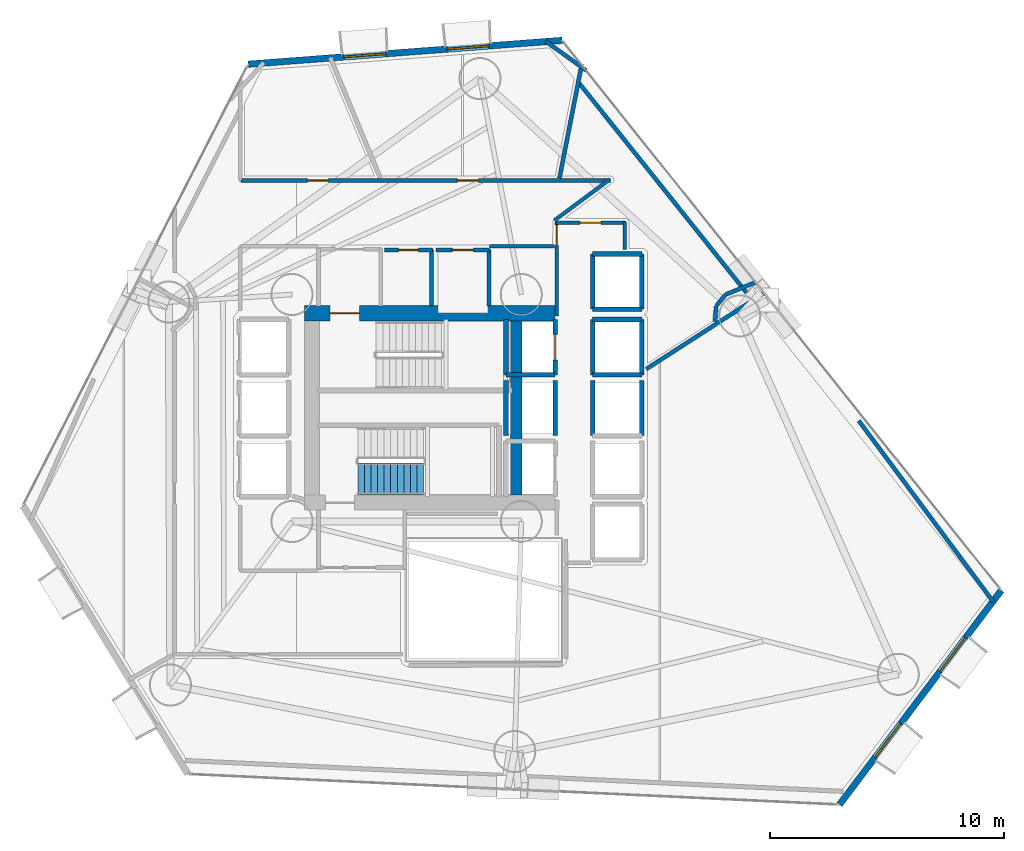
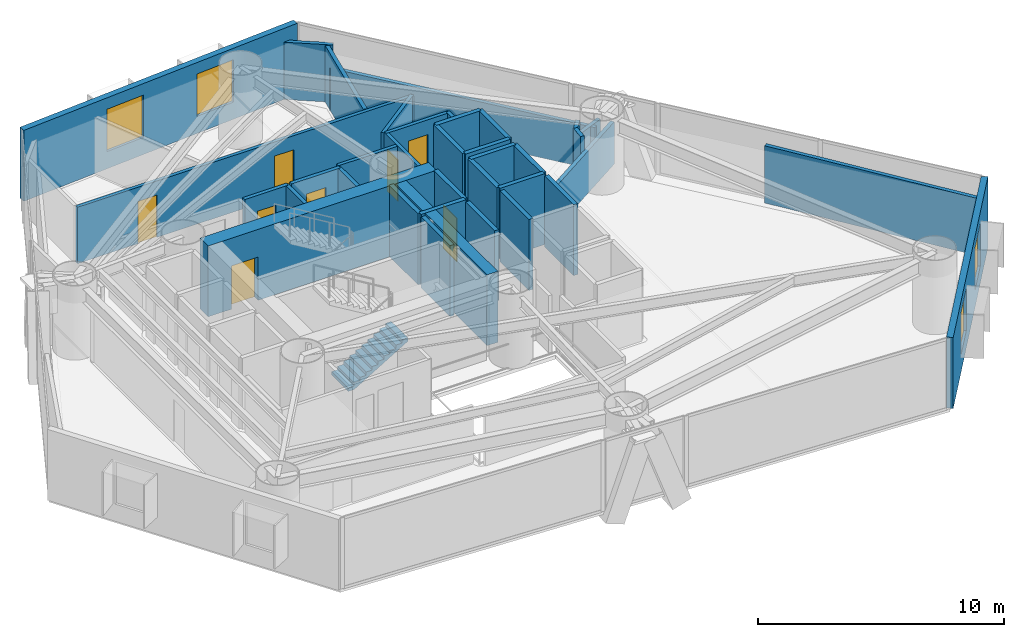
# One storey, part 18 of 23: 37 walls, 8 doors, 4 windows, 1 stair flight, 12 openings, 1 element without a shape of its own.
"""IFC4 building model written with IfcOpenShell, lengths in metres."""

from ifc_helpers import new_model, si_unit, direction, frame, frame_2d, origin, place, context, subcontext, project, spatial, polyline, rectangle, outline, extrude, material, layer, layer_set, type_object, element, fill, aggregate, save


model = new_model("IFC4")

# Units and contexts
model_context = context("Model", 3, precision=1e-05, world=origin(), true_north=direction((0.0, 1.0)))
body_context = subcontext(model_context, "Body", "Model", "MODEL_VIEW")
ifc_project = project(units=[si_unit("LENGTHUNIT", "METRE"), si_unit("AREAUNIT", "SQUARE_METRE"), si_unit("VOLUMEUNIT", "CUBIC_METRE"), si_unit("PLANEANGLEUNIT", "RADIAN"), si_unit("MASSUNIT", "GRAM", prefix="KILO")], contexts=[model_context])

# Site, building, storey
site_placement = place(None, origin())
site = spatial("IfcSite", under=ifc_project, at=site_placement, CompositionType="ELEMENT")
building_placement = place(site_placement, origin())
building = spatial("IfcBuilding", under=site, at=building_placement, Name="Qianvela Tower", CompositionType="ELEMENT")
storey_placement = place(building_placement, frame((0.0, 0.0, 36.800048828125)))
storey = spatial("IfcBuildingStorey", under=building, at=storey_placement, Name="L08", CompositionType="ELEMENT", Elevation=36.800048828125)

# Wall, openings, windows
ifc_material_1 = material(Name="Terracotta Cladding on Concrete C40", Category="masonry")
ifc_layer_1 = layer(ifc_material_1, 0.280029296875)
ifc_layer_set_1 = layer_set([ifc_layer_1], Name="Terracotta Cladding on Concrete C40")
wall_type_1 = type_object("IfcWallType", Name="TERRACOTTA-WALL-280", PredefinedType="SOLIDWALL", material=ifc_layer_set_1)
wall_1_placement = place(storey_placement, frame((51.999267578125, 11.74658203125, 0.0), z_axis=(0.0, 0.0, 1.0), x_axis=(0.602698586695, 0.797968930219, 0.0)))
wall_1 = element("IfcWall", 1, at=wall_1_placement, inside=storey, type_object=wall_type_1, Name="L08 Terracotta Chamfer Facet Wall 1", PredefinedType="SOLIDWALL", context=body_context, shape_type="SweptSolid", body=[
    extrude(rectangle(XDim=11.478759765625, YDim=0.280029296875, at=frame_2d((5.7392578125, 0.0))), origin(), (0.0, 0.0, 1.0), 3.52001953125),
])
opening_1_placement = place(wall_1_placement, frame((2.543701171875, 0.0, 0.85009765625)))
opening_1 = element("IfcOpeningElement", 2, at=opening_1_placement, cuts=wall_1, Name="Opening W-01", PredefinedType="OPENING", context=body_context, shape_type="SweptSolid", body=[
    extrude(rectangle(XDim=1.800048828125, YDim=2.10009765625, at=frame_2d((0.89990234375, 1.050048828125))), frame((0.0, 0.14990234375, 0.0), z_axis=(0.0, -1.0, 0.0), x_axis=(1.0, 0.0, 0.0)), (0.0, 0.0, 1.0), 0.300048828125),
])
opening_2_placement = place(wall_1_placement, frame((7.13525390625, 0.0, 0.85009765625)))
opening_2 = element("IfcOpeningElement", 3, at=opening_2_placement, cuts=wall_1, Name="Opening W-01", PredefinedType="OPENING", context=body_context, shape_type="SweptSolid", body=[
    extrude(rectangle(XDim=1.800048828125, YDim=2.10009765625, at=frame_2d((0.89990234375, 1.050048828125))), frame((0.0, 0.14990234375, 0.0), z_axis=(0.0, -1.0, 0.0), x_axis=(1.0, 0.0, 0.0)), (0.0, 0.0, 1.0), 0.300048828125),
])
ifc_material_2 = material(Name="Thermally Broken Aluminium and Low-E Glass", Category="aluminium")
window_type = type_object("IfcWindowType", Name="WIN-TC-1800x2100", PartitioningType="DOUBLE_PANEL_VERTICAL", PredefinedType="WINDOW", material=ifc_material_2)
window_1_placement = place(opening_1_placement, origin())
window_1 = element("IfcWindow", 4, at=window_1_placement, inside=storey, type_object=window_type, Name="L08 Chamfer Facet Window 1.1", OverallHeight=2.10009765625, OverallWidth=1.800048828125, PartitioningType="SINGLE_PANEL", PredefinedType="WINDOW", context=body_context, shape_type="SweptSolid", body=[
    extrude(rectangle(XDim=1.800048828125, YDim=2.10009765625, at=frame_2d((0.89990234375, 1.050048828125))), frame((0.0, 0.030029296875, 0.0), z_axis=(0.0, -1.0, 0.0), x_axis=(1.0, 0.0, 0.0)), (0.0, 0.0, 1.0), 0.06005859375),
])
fill(opening_1, window_1)
window_2_placement = place(opening_2_placement, origin())
window_2 = element("IfcWindow", 5, at=window_2_placement, inside=storey, type_object=window_type, Name="L08 Chamfer Facet Window 1.2", OverallHeight=2.10009765625, OverallWidth=1.800048828125, PartitioningType="SINGLE_PANEL", PredefinedType="WINDOW", context=body_context, shape_type="SweptSolid", body=[
    extrude(rectangle(XDim=1.800048828125, YDim=2.10009765625, at=frame_2d((0.89990234375, 1.050048828125))), frame((0.0, 0.030029296875, 0.0), z_axis=(0.0, -1.0, 0.0), x_axis=(1.0, 0.0, 0.0)), (0.0, 0.0, 1.0), 0.06005859375),
])
fill(opening_2, window_2)

wall_2_placement = place(storey_placement, frame((40.1474609375, 44.4130859375, 0.0), z_axis=(0.0, 0.0, 1.0), x_axis=(-0.997124396063, -0.07578217981, 0.0)))
wall_2 = element("IfcWall", 6, at=wall_2_placement, inside=storey, type_object=wall_type_1, Name="L08 Terracotta Chamfer Facet Wall 3", PredefinedType="SOLIDWALL", context=body_context, shape_type="SweptSolid", body=[
    extrude(rectangle(XDim=13.45654296875, YDim=0.280029296875, at=frame_2d((6.728271484375, 0.0))), origin(), (0.0, 0.0, 1.0), 3.52001953125),
])
opening_3_placement = place(wall_2_placement, frame((3.136962890625, 0.0, 0.85009765625)))
opening_3 = element("IfcOpeningElement", 7, at=opening_3_placement, cuts=wall_2, Name="Opening W-01", PredefinedType="OPENING", context=body_context, shape_type="SweptSolid", body=[
    extrude(rectangle(XDim=1.800048828125, YDim=2.10009765625, at=frame_2d((0.89990234375, 1.050048828125))), frame((0.0, 0.14990234375, 0.0), z_axis=(0.0, -1.0, 0.0), x_axis=(1.0, 0.0, 0.0)), (0.0, 0.0, 1.0), 0.300048828125),
])
opening_4_placement = place(wall_2_placement, frame((7.559814453125, 0.0, 0.85009765625)))
opening_4 = element("IfcOpeningElement", 8, at=opening_4_placement, cuts=wall_2, Name="Opening W-01", PredefinedType="OPENING", context=body_context, shape_type="SweptSolid", body=[
    extrude(rectangle(XDim=1.800048828125, YDim=2.10009765625, at=frame_2d((0.89990234375, 1.050048828125))), frame((0.0, 0.14990234375, 0.0), z_axis=(0.0, -1.0, 0.0), x_axis=(1.0, 0.0, 0.0)), (0.0, 0.0, 1.0), 0.300048828125),
])
window_3_placement = place(opening_3_placement, origin())
window_3 = element("IfcWindow", 9, at=window_3_placement, inside=storey, type_object=window_type, Name="L08 Chamfer Facet Window 3.1", OverallHeight=2.10009765625, OverallWidth=1.800048828125, PartitioningType="SINGLE_PANEL", PredefinedType="WINDOW", context=body_context, shape_type="SweptSolid", body=[
    extrude(rectangle(XDim=1.800048828125, YDim=2.10009765625, at=frame_2d((0.89990234375, 1.050048828125))), frame((0.0, 0.030029296875, 0.0), z_axis=(0.0, -1.0, 0.0), x_axis=(1.0, 0.0, 0.0)), (0.0, 0.0, 1.0), 0.06005859375),
])
fill(opening_3, window_3)
window_4_placement = place(opening_4_placement, origin())
window_4 = element("IfcWindow", 10, at=window_4_placement, inside=storey, type_object=window_type, Name="L08 Chamfer Facet Window 3.2", OverallHeight=2.10009765625, OverallWidth=1.800048828125, PartitioningType="SINGLE_PANEL", PredefinedType="WINDOW", context=body_context, shape_type="SweptSolid", body=[
    extrude(rectangle(XDim=1.800048828125, YDim=2.10009765625, at=frame_2d((0.89990234375, 1.050048828125))), frame((0.0, 0.030029296875, 0.0), z_axis=(0.0, -1.0, 0.0), x_axis=(1.0, 0.0, 0.0)), (0.0, 0.0, 1.0), 0.06005859375),
])
fill(opening_4, window_4)

# Wall, opening, door
ifc_material_3 = material(Name="Concrete C60", Category="concrete")
ifc_layer_2 = layer(ifc_material_3, 0.64990234375)
ifc_layer_set_2 = layer_set([ifc_layer_2], Name="Concrete C60")
wall_type_2 = type_object("IfcWallType", Name="WT-CORE-650", PredefinedType="SHEAR", material=ifc_layer_set_2)
wall_3_placement = place(storey_placement, frame((29.1298828125, 32.7451171875, 0.0), z_axis=(0.0, 0.0, 1.0), x_axis=(1.0, 0.0, 0.0)))
wall_3 = element("IfcWall", 11, at=wall_3_placement, inside=storey, type_object=wall_type_2, Name="L08 North Core Shear Wall", PredefinedType="SHEAR", context=body_context, shape_type="SweptSolid", body=[
    extrude(rectangle(XDim=10.72021484375, YDim=0.64990234375, at=frame_2d((5.360107421875, 0.0))), origin(), (0.0, 0.0, 1.0), 3.52001953125),
])
opening_5_placement = place(wall_3_placement, frame((1.094970703125, 0.0, 0.0)))
opening_5 = element("IfcOpeningElement", 12, at=opening_5_placement, cuts=wall_3, Name="Opening D-ST1", PredefinedType="OPENING", context=body_context, shape_type="SweptSolid", body=[
    extrude(rectangle(XDim=1.25, YDim=2.14990234375, at=frame_2d((0.625, 1.074951171875))), frame((0.0, 0.3349609375, 0.0), z_axis=(0.0, -1.0, 0.0), x_axis=(1.0, 0.0, 0.0)), (0.0, 0.0, 1.0), 0.669921875),
])
ifc_material_4 = material(Name="Galvanised Fire Steel Q355B", Category="steel")
door_type_1 = type_object("IfcDoorType", Name="DT-STAIR-FD90", OperationType="NOTDEFINED", PredefinedType="DOOR", material=ifc_material_4)
door_1_placement = place(opening_5_placement, origin())
door_1 = element("IfcDoor", 13, at=door_1_placement, inside=storey, type_object=door_type_1, Name="L08 Stair ST-1 Exit Door", OperationType="SINGLE_SWING_RIGHT", OverallHeight=2.14990234375, OverallWidth=1.25, PredefinedType="DOOR", context=body_context, shape_type="SweptSolid", body=[
    extrude(rectangle(XDim=1.25, YDim=2.14990234375, at=frame_2d((0.625, 1.074951171875))), frame((0.0, 0.02490234375, 0.0), z_axis=(0.0, -1.0, 0.0), x_axis=(1.0, 0.0, 0.0)), (0.0, 0.0, 1.0), 0.050048828125),
])
fill(opening_5, door_1)

# Wall
wall_4_placement = place(storey_placement, frame((38.179931640625, 24.97998046875, 0.0), z_axis=(0.0, 0.0, 1.0), x_axis=(0.0, 1.0, 0.0)))
element("IfcWall", 14, at=wall_4_placement, inside=storey, type_object=wall_type_2, Name="L08 East Spine Core Shear Wall", PredefinedType="SHEAR", context=body_context, shape_type="SweptSolid", body=[
    extrude(rectangle(XDim=7.43994140625, YDim=0.5, at=frame_2d((3.719970703125, 0.0))), origin(), (0.0, 0.0, 1.0), 3.52001953125),
])

# Wall, opening, door
ifc_material_5 = material(Name="Fire-Rated Gypsum and Concrete Block", Category="concrete")
ifc_layer_3 = layer(ifc_material_5, 0.159912109375)
ifc_layer_set_3 = layer_set([ifc_layer_3], Name="Fire-Rated Gypsum and Concrete Block")
wall_type_3 = type_object("IfcWallType", Name="WT-CORR-160", PredefinedType="PARTITIONING", material=ifc_layer_set_3)
wall_5_placement = place(storey_placement, frame((39.910888671875, 32.639892578125, 0.0), z_axis=(0.0, 0.0, 1.0), x_axis=(0.0, 1.0, 0.0)))
wall_5 = element("IfcWall", 15, at=wall_5_placement, inside=storey, type_object=wall_type_3, Name="L08 Partition 10", PredefinedType="PARTITIONING", context=body_context, shape_type="SweptSolid", body=[
    extrude(rectangle(XDim=4.010009765625, YDim=0.159912109375, at=frame_2d((2.0048828125, 0.0))), origin(), (0.0, 0.0, 1.0), 2.83984375),
])
opening_6_placement = place(wall_5_placement, frame((3.010009765625, 0.0, 0.0)))
opening_6 = element("IfcOpeningElement", 16, at=opening_6_placement, cuts=wall_5, Name="Opening D-LB2", PredefinedType="OPENING", context=body_context, shape_type="SweptSolid", body=[
    extrude(rectangle(XDim=0.860107421875, YDim=2.050048828125, at=frame_2d((0.43017578125, 1.02490234375))), frame((0.0, 0.08984375, 0.0), z_axis=(0.0, -1.0, 0.0), x_axis=(1.0, 0.0, 0.0)), (0.0, 0.0, 1.0), 0.179931640625),
])
ifc_material_6 = material(Name="Insulated Steel Fire Door Q355B", Category="steel")
door_type_2 = type_object("IfcDoorType", Name="DT-LOBBY-FD90-860", OperationType="NOTDEFINED", PredefinedType="DOOR", material=ifc_material_6)
door_2_placement = place(opening_6_placement, origin())
door_2 = element("IfcDoor", 17, at=door_2_placement, inside=storey, type_object=door_type_2, Name="L08 Door L08 Lift Lobby to L08 Floor Corridor", OperationType="SINGLE_SWING_RIGHT", OverallHeight=2.050048828125, OverallWidth=0.860107421875, PredefinedType="DOOR", context=body_context, shape_type="SweptSolid", body=[
    extrude(rectangle(XDim=0.860107421875, YDim=2.050048828125, at=frame_2d((0.43017578125, 1.02490234375))), frame((0.0, 0.02490234375, 0.0), z_axis=(0.0, -1.0, 0.0), x_axis=(1.0, 0.0, 0.0)), (0.0, 0.0, 1.0), 0.050048828125),
])
fill(opening_6, door_2)

wall_6_placement = place(storey_placement, frame((39.8798828125, 36.618896484375, 0.0), z_axis=(0.0, 0.0, 1.0), x_axis=(1.0, 0.0, 0.0)))
wall_6 = element("IfcWall", 18, at=wall_6_placement, inside=storey, type_object=wall_type_3, Name="L08 Partition 11", PredefinedType="PARTITIONING", context=body_context, shape_type="SweptSolid", body=[
    extrude(rectangle(XDim=2.97021484375, YDim=0.159912109375, at=frame_2d((1.485107421875, 0.0))), origin(), (0.0, 0.0, 1.0), 2.83984375),
])
opening_7_placement = place(wall_6_placement, frame((1.034912109375, 0.0, 0.0)))
opening_7 = element("IfcOpeningElement", 19, at=opening_7_placement, cuts=wall_6, Name="Opening D-KT1", PredefinedType="OPENING", context=body_context, shape_type="SweptSolid", body=[
    extrude(rectangle(XDim=0.89990234375, YDim=2.10009765625, at=frame_2d((0.449951171875, 1.050048828125))), frame((0.0, 0.08984375, 0.0), z_axis=(0.0, -1.0, 0.0), x_axis=(1.0, 0.0, 0.0)), (0.0, 0.0, 1.0), 0.179931640625),
])
ifc_material_7 = material(Name="Glazed Timber Kitchen Door", Category="wood")
door_type_3 = type_object("IfcDoorType", Name="DT-KITCH-900", OperationType="NOTDEFINED", PredefinedType="DOOR", material=ifc_material_7)
door_3_placement = place(opening_7_placement, origin())
door_3 = element("IfcDoor", 20, at=door_3_placement, inside=storey, type_object=door_type_3, Name="L08 Door Floor Dining Kitchen L08-03 to L08 Lift Lobby", OperationType="SINGLE_SWING_RIGHT", OverallHeight=2.10009765625, OverallWidth=0.89990234375, PredefinedType="DOOR", context=body_context, shape_type="SweptSolid", body=[
    extrude(rectangle(XDim=0.89990234375, YDim=2.10009765625, at=frame_2d((0.449951171875, 1.050048828125))), frame((0.0, 0.02490234375, 0.0), z_axis=(0.0, -1.0, 0.0), x_axis=(1.0, 0.0, 0.0)), (0.0, 0.0, 1.0), 0.050048828125),
])
fill(opening_7, door_3)

# Wall
wall_7_placement = place(storey_placement, frame((42.819091796875, 36.64990234375, 0.0), z_axis=(0.0, 0.0, 1.0), x_axis=(0.0, -1.0, 0.0)))
element("IfcWall", 21, at=wall_7_placement, inside=storey, type_object=wall_type_3, Name="L08 Partition 12", PredefinedType="PARTITIONING", context=body_context, shape_type="SweptSolid", body=[
    extrude(rectangle(XDim=1.169921875, YDim=0.159912109375, at=frame_2d((0.5849609375, 0.0))), origin(), (0.0, 0.0, 1.0), 2.83984375),
])

# Wall, openings, doors
wall_8_placement = place(storey_placement, frame((26.419921875, 38.4189453125, 0.0), z_axis=(0.0, 0.0, 1.0), x_axis=(1.0, 0.0, 0.0)))
wall_8 = element("IfcWall", 22, at=wall_8_placement, inside=storey, type_object=wall_type_3, Name="L08 Partition 43", PredefinedType="PARTITIONING", context=body_context, shape_type="SweptSolid", body=[
    extrude(rectangle(XDim=15.783203125, YDim=0.159912109375, at=frame_2d((7.8916015625, 0.0))), origin(), (0.0, 0.0, 1.0), 2.7978515625),
])
opening_8_placement = place(wall_8_placement, frame((9.246337890625, 0.0, 0.0)))
opening_8 = element("IfcOpeningElement", 23, at=opening_8_placement, cuts=wall_8, Name="Opening D-KT1", PredefinedType="OPENING", context=body_context, shape_type="SweptSolid", body=[
    extrude(rectangle(XDim=0.89990234375, YDim=2.10009765625, at=frame_2d((0.449951171875, 1.050048828125))), frame((0.0, 0.08984375, 0.0), z_axis=(0.0, -1.0, 0.0), x_axis=(1.0, 0.0, 0.0)), (0.0, 0.0, 1.0), 0.179931640625),
])
opening_9_placement = place(wall_8_placement, frame((2.835693359375, 0.0, 0.0)))
opening_9 = element("IfcOpeningElement", 24, at=opening_9_placement, cuts=wall_8, Name="Opening D-KT1", PredefinedType="OPENING", context=body_context, shape_type="SweptSolid", body=[
    extrude(rectangle(XDim=0.89990234375, YDim=2.10009765625, at=frame_2d((0.449951171875, 1.050048828125))), frame((0.0, 0.08984375, 0.0), z_axis=(0.0, -1.0, 0.0), x_axis=(1.0, 0.0, 0.0)), (0.0, 0.0, 1.0), 0.179931640625),
])
door_4_placement = place(opening_8_placement, origin())
door_4 = element("IfcDoor", 25, at=door_4_placement, inside=storey, type_object=door_type_3, Name="L08 Door Social Galley Kitchen L08-04 to L08 Floor Corridor", OperationType="SINGLE_SWING_LEFT", OverallHeight=2.10009765625, OverallWidth=0.89990234375, PredefinedType="DOOR", context=body_context, shape_type="SweptSolid", body=[
    extrude(rectangle(XDim=0.89990234375, YDim=2.10009765625, at=frame_2d((0.449951171875, 1.050048828125))), frame((0.0, 0.02490234375, 0.0), z_axis=(0.0, -1.0, 0.0), x_axis=(1.0, 0.0, 0.0)), (0.0, 0.0, 1.0), 0.050048828125),
])
fill(opening_8, door_4)
door_5_placement = place(opening_9_placement, origin())
door_5 = element("IfcDoor", 26, at=door_5_placement, inside=storey, type_object=door_type_3, Name="L08 Door Shared Communal Kitchen L08-05 to L08 Floor Corridor", OperationType="SINGLE_SWING_RIGHT", OverallHeight=2.10009765625, OverallWidth=0.89990234375, PredefinedType="DOOR", context=body_context, shape_type="SweptSolid", body=[
    extrude(rectangle(XDim=0.89990234375, YDim=2.10009765625, at=frame_2d((0.449951171875, 1.050048828125))), frame((0.0, 0.02490234375, 0.0), z_axis=(0.0, -1.0, 0.0), x_axis=(1.0, 0.0, 0.0)), (0.0, 0.0, 1.0), 0.050048828125),
])
fill(opening_9, door_5)

# Walls
wall_9_placement = place(storey_placement, frame((42.1845703125, 38.474853515625, 0.0), z_axis=(0.0, 0.0, 1.0), x_axis=(-0.802818467394, -0.596223538961, 0.0)))
element("IfcWall", 27, at=wall_9_placement, inside=storey, type_object=wall_type_3, Name="L08 Partition 44", PredefinedType="PARTITIONING", context=body_context, shape_type="SweptSolid", body=[
    extrude(rectangle(XDim=2.953125, YDim=0.159912109375, at=frame_2d((1.4765625, 0.0))), origin(), (0.0, 0.0, 1.0), 2.7978515625),
])
wall_10_placement = place(storey_placement, frame((39.818115234375, 35.611083984375, 0.0), z_axis=(0.0, 0.0, 1.0), x_axis=(-1.0, 0.0, 0.0)))
element("IfcWall", 28, at=wall_10_placement, inside=storey, type_object=wall_type_3, Name="L08 Partition 46 seg 1", PredefinedType="PARTITIONING", context=body_context, shape_type="SweptSolid", body=[
    extrude(rectangle(XDim=2.76806640625, YDim=0.159912109375, at=frame_2d((1.384033203125, 0.0))), origin(), (0.0, 0.0, 1.0), 2.83984375),
])

# Wall, opening, door
ifc_material_8 = material(Name="Moisture-Resistant Acoustic Plumbing Wall")
ifc_layer_4 = layer(ifc_material_8, 0.175048828125)
ifc_layer_set_4 = layer_set([ifc_layer_4], Name="Moisture-Resistant Acoustic Plumbing Wall")
wall_type_4 = type_object("IfcWallType", Name="WT-PLUMB-175", PredefinedType="PLUMBINGWALL", material=ifc_layer_set_4)
wall_11_placement = place(storey_placement, frame((32.550048828125, 35.448974609375, 0.0), z_axis=(0.0, 0.0, 1.0), x_axis=(1.0, 0.0, 0.0)))
wall_11 = element("IfcWall", 29, at=wall_11_placement, inside=storey, type_object=wall_type_4, Name="L08 Partition 20", PredefinedType="PLUMBINGWALL", context=body_context, shape_type="SweptSolid", body=[
    extrude(rectangle(XDim=2.050048828125, YDim=0.175048828125, at=frame_2d((1.02490234375, 0.0))), origin(), (0.0, 0.0, 1.0), 2.83984375),
])
opening_10_placement = place(wall_11_placement, frame((0.594970703125, 0.0, 0.0)))
opening_10 = element("IfcOpeningElement", 30, at=opening_10_placement, cuts=wall_11, Name="Opening D-WC1", PredefinedType="OPENING", context=body_context, shape_type="SweptSolid", body=[
    extrude(rectangle(XDim=0.860107421875, YDim=2.050048828125, at=frame_2d((0.43017578125, 1.02490234375))), frame((0.0, 0.097412109375, 0.0), z_axis=(0.0, -1.0, 0.0), x_axis=(1.0, 0.0, 0.0)), (0.0, 0.0, 1.0), 0.195068359375),
])
ifc_material_9 = material(Name="Moisture-Sealed Acoustic Timber Door", Category="wood")
door_type_4 = type_object("IfcDoorType", Name="DT-WC-860", OperationType="NOTDEFINED", PredefinedType="DOOR", material=ifc_material_9)
door_6_placement = place(opening_10_placement, origin())
door_6 = element("IfcDoor", 31, at=door_6_placement, inside=storey, type_object=door_type_4, Name="L08 Door L08 Accessible WC to L08 Floor Corridor", OperationType="SINGLE_SWING_LEFT", OverallHeight=2.050048828125, OverallWidth=0.860107421875, PredefinedType="DOOR", context=body_context, shape_type="SweptSolid", body=[
    extrude(rectangle(XDim=0.860107421875, YDim=2.050048828125, at=frame_2d((0.43017578125, 1.02490234375))), frame((0.0, 0.02490234375, 0.0), z_axis=(0.0, -1.0, 0.0), x_axis=(1.0, 0.0, 0.0)), (0.0, 0.0, 1.0), 0.050048828125),
])
fill(opening_10, door_6)

# Wall
wall_12_placement = place(storey_placement, frame((34.569091796875, 35.47998046875, 0.0), z_axis=(0.0, 0.0, 1.0), x_axis=(0.0, -1.0, 0.0)))
element("IfcWall", 32, at=wall_12_placement, inside=storey, type_object=wall_type_4, Name="L08 Partition 21", PredefinedType="PLUMBINGWALL", context=body_context, shape_type="SweptSolid", body=[
    extrude(rectangle(XDim=2.421875, YDim=0.175048828125, at=frame_2d((1.2109375, 0.0))), origin(), (0.0, 0.0, 1.0), 2.83984375),
])

# Wall, opening, door
wall_13_placement = place(storey_placement, frame((34.75, 35.448974609375, 0.0), z_axis=(0.0, 0.0, 1.0), x_axis=(1.0, 0.0, 0.0)))
wall_13 = element("IfcWall", 33, at=wall_13_placement, inside=storey, type_object=wall_type_4, Name="L08 Partition 24", PredefinedType="PLUMBINGWALL", context=body_context, shape_type="SweptSolid", body=[
    extrude(rectangle(XDim=2.300048828125, YDim=0.175048828125, at=frame_2d((1.14990234375, 0.0))), origin(), (0.0, 0.0, 1.0), 2.83984375),
])
opening_11_placement = place(wall_13_placement, frame((0.699951171875, 0.0, 0.0)))
opening_11 = element("IfcOpeningElement", 34, at=opening_11_placement, cuts=wall_13, Name="Opening D-KT1", PredefinedType="OPENING", context=body_context, shape_type="SweptSolid", body=[
    extrude(rectangle(XDim=0.89990234375, YDim=2.10009765625, at=frame_2d((0.449951171875, 1.050048828125))), frame((0.0, 0.097412109375, 0.0), z_axis=(0.0, -1.0, 0.0), x_axis=(1.0, 0.0, 0.0)), (0.0, 0.0, 1.0), 0.195068359375),
])
door_7_placement = place(opening_11_placement, origin())
door_7 = element("IfcDoor", 35, at=door_7_placement, inside=storey, type_object=door_type_3, Name="L08 Door L08 Core Tea Pantry to L08 Floor Corridor", OperationType="SINGLE_SWING_RIGHT", OverallHeight=2.10009765625, OverallWidth=0.89990234375, PredefinedType="DOOR", context=body_context, shape_type="SweptSolid", body=[
    extrude(rectangle(XDim=0.89990234375, YDim=2.10009765625, at=frame_2d((0.449951171875, 1.050048828125))), frame((0.0, 0.02490234375, 0.0), z_axis=(0.0, -1.0, 0.0), x_axis=(1.0, 0.0, 0.0)), (0.0, 0.0, 1.0), 0.050048828125),
])
fill(opening_11, door_7)

# Walls
wall_14_placement = place(storey_placement, frame((37.01904296875, 35.47998046875, 0.0), z_axis=(0.0, 0.0, 1.0), x_axis=(0.0, -1.0, 0.0)))
element("IfcWall", 36, at=wall_14_placement, inside=storey, type_object=wall_type_4, Name="L08 Partition 25", PredefinedType="PLUMBINGWALL", context=body_context, shape_type="SweptSolid", body=[
    extrude(rectangle(XDim=2.421875, YDim=0.175048828125, at=frame_2d((1.2109375, 0.0))), origin(), (0.0, 0.0, 1.0), 2.83984375),
])
wall_15_placement = place(storey_placement, frame((43.73681640625, 30.3623046875, 0.0), z_axis=(0.0, 0.0, 1.0), x_axis=(0.840502421902, 0.541807787667, 0.0)))
element("IfcWall", 37, at=wall_15_placement, inside=storey, type_object=wall_type_4, Name="L08 Partition 70", PredefinedType="PLUMBINGWALL", context=body_context, shape_type="SweptSolid", body=[
    extrude(rectangle(XDim=6.013427734375, YDim=0.175048828125, at=frame_2d((3.0068359375, 0.0))), origin(), (0.0, 0.0, 1.0), 2.094970703125),
])
wall_16_placement = place(storey_placement, frame((52.824462890625, 28.15234375, 0.0), z_axis=(0.0, 0.0, 1.0), x_axis=(0.59634172505, -0.802730681464, 0.0)))
element("IfcWall", 38, at=wall_16_placement, inside=storey, type_object=wall_type_4, Name="L08 Partition 71 seg 1", PredefinedType="PLUMBINGWALL", context=body_context, shape_type="SweptSolid", body=[
    extrude(rectangle(XDim=9.63720703125, YDim=0.175048828125, at=frame_2d((4.818603515625, 0.0))), origin(), (0.0, 0.0, 1.0), 2.83984375),
])
wall_17_placement = place(storey_placement, frame((40.030517578125, 38.52392578125, 0.0), z_axis=(0.0, 0.0, 1.0), x_axis=(0.192440494931, 0.981308644571, 0.0)))
element("IfcWall", 39, at=wall_17_placement, inside=storey, type_object=wall_type_4, Name="L08 Partition 83", PredefinedType="PLUMBINGWALL", context=body_context, shape_type="SweptSolid", body=[
    extrude(rectangle(XDim=4.9580078125, YDim=0.175048828125, at=frame_2d((2.47900390625, 0.0))), origin(), (0.0, 0.0, 1.0), 2.7978515625),
])
wall_18_placement = place(storey_placement, frame((40.793701171875, 42.6806640625, 0.0), z_axis=(0.0, 0.0, 1.0), x_axis=(0.623977950445, -0.781441947529, 0.0)))
element("IfcWall", 40, at=wall_18_placement, inside=storey, type_object=wall_type_4, Name="L08 Partition 84", PredefinedType="PLUMBINGWALL", context=body_context, shape_type="SweptSolid", body=[
    extrude(rectangle(XDim=11.588134765625, YDim=0.175048828125, at=frame_2d((5.7939453125, 0.0))), origin(), (0.0, 0.0, 1.0), 2.094970703125),
])
wall_19_placement = place(storey_placement, frame((48.422607421875, 34.080322265625, 0.0), z_axis=(0.0, 0.0, 1.0), x_axis=(-0.923888707417, -0.382661281433, 0.0)))
element("IfcWall", 41, at=wall_19_placement, inside=storey, type_object=wall_type_4, Name="L08 Partition 86", PredefinedType="PLUMBINGWALL", context=body_context, shape_type="SweptSolid", body=[
    extrude(rectangle(XDim=1.393310546875, YDim=0.175048828125, at=frame_2d((0.69677734375, 0.0))), origin(), (0.0, 0.0, 1.0), 2.094970703125),
])
wall_20_placement = place(storey_placement, frame((47.123046875, 33.5380859375, 0.0), z_axis=(0.0, 0.0, 1.0), x_axis=(-0.634274060347, -0.773108282436, 0.0)))
element("IfcWall", 42, at=wall_20_placement, inside=storey, type_object=wall_type_4, Name="L08 Partition 87", PredefinedType="PLUMBINGWALL", context=body_context, shape_type="SweptSolid", body=[
    extrude(rectangle(XDim=0.615478515625, YDim=0.175048828125, at=frame_2d((0.3076171875, 0.0))), origin(), (0.0, 0.0, 1.0), 2.7978515625),
])
wall_21_placement = place(storey_placement, frame((46.725830078125, 33.044921875, 0.0), z_axis=(0.0, 0.0, 1.0), x_axis=(-0.072993708231, -0.997332401238, 0.0)))
element("IfcWall", 43, at=wall_21_placement, inside=storey, type_object=wall_type_4, Name="L08 Partition 88", PredefinedType="PLUMBINGWALL", context=body_context, shape_type="SweptSolid", body=[
    extrude(rectangle(XDim=0.655517578125, YDim=0.175048828125, at=frame_2d((0.32763671875, 0.0))), origin(), (0.0, 0.0, 1.0), 2.83984375),
])
wall_22_placement = place(storey_placement, frame((39.440185546875, 44.3759765625, 0.0), z_axis=(0.0, 0.0, 1.0), x_axis=(0.81138921051, -0.584506243822, 0.0)))
element("IfcWall", 44, at=wall_22_placement, inside=storey, type_object=wall_type_4, Name="L08 Partition 92", PredefinedType="PLUMBINGWALL", context=body_context, shape_type="SweptSolid", body=[
    extrude(rectangle(XDim=2.13818359375, YDim=0.175048828125, at=frame_2d((1.069091796875, 0.0))), origin(), (0.0, 0.0, 1.0), 2.83984375),
])

# Wall, opening, door
ifc_material_10 = material(Name="Concrete C50", Category="concrete")
ifc_layer_5 = layer(ifc_material_10, 0.199951171875)
ifc_layer_set_5 = layer_set([ifc_layer_5], Name="Concrete C50")
wall_type_5 = type_object("IfcWallType", Name="WT-SHAFT-200", PredefinedType="SOLIDWALL", material=ifc_layer_set_5)
wall_23_placement = place(storey_placement, frame((39.85009765625, 30.1201171875, 0.0), z_axis=(0.0, 0.0, 1.0), x_axis=(0.0, 1.0, 0.0)))
wall_23 = element("IfcWall", 45, at=wall_23_placement, inside=storey, type_object=wall_type_5, Name="L08 Lift FL-1 E Shaft Wall", PredefinedType="SOLIDWALL", context=body_context, shape_type="SweptSolid", body=[
    extrude(rectangle(XDim=2.35986328125, YDim=0.199951171875, at=frame_2d((1.179931640625, 0.0))), origin(), (0.0, 0.0, 1.0), 3.52001953125),
])
opening_12_placement = place(wall_23_placement, frame((0.6298828125, 0.0, 0.0)))
opening_12 = element("IfcOpeningElement", 46, at=opening_12_placement, cuts=wall_23, Name="Opening LD-01", PredefinedType="OPENING", context=body_context, shape_type="SweptSolid", body=[
    extrude(rectangle(XDim=1.10009765625, YDim=2.14990234375, at=frame_2d((0.550048828125, 1.074951171875))), frame((0.0, 0.10986328125, 0.0), z_axis=(0.0, -1.0, 0.0), x_axis=(1.0, 0.0, 0.0)), (0.0, 0.0, 1.0), 0.219970703125),
])
ifc_material_11 = material(Name="Brushed Stainless Steel Lift Landing Door", Category="steel")
door_type_5 = type_object("IfcDoorType", Name="DT-LIFT-SLIDE-1100", OperationType="SLIDING_TO_LEFT", PredefinedType="DOOR", material=ifc_material_11)
door_8_placement = place(opening_12_placement, origin())
door_8 = element("IfcDoor", 47, at=door_8_placement, inside=storey, type_object=door_type_5, Name="L08 Lift FL-1 Sliding Landing Door", OperationType="SLIDING_TO_LEFT", OverallHeight=2.14990234375, OverallWidth=1.10009765625, PredefinedType="DOOR", context=body_context, shape_type="SweptSolid", body=[
    extrude(rectangle(XDim=1.10009765625, YDim=2.14990234375, at=frame_2d((0.550048828125, 1.074951171875))), frame((0.0, 0.02490234375, 0.0), z_axis=(0.0, -1.0, 0.0), x_axis=(1.0, 0.0, 0.0)), (0.0, 0.0, 1.0), 0.050048828125),
])
fill(opening_12, door_8)

# Walls
wall_24_placement = place(storey_placement, frame((37.75, 30.1201171875, 0.0), z_axis=(0.0, 0.0, 1.0), x_axis=(0.0, 1.0, 0.0)))
element("IfcWall", 48, at=wall_24_placement, inside=storey, type_object=wall_type_5, Name="L08 Lift FL-1 W Shaft Wall", PredefinedType="SOLIDWALL", context=body_context, shape_type="SweptSolid", body=[
    extrude(rectangle(XDim=2.35986328125, YDim=0.199951171875, at=frame_2d((1.179931640625, 0.0))), origin(), (0.0, 0.0, 1.0), 3.52001953125),
])
wall_25_placement = place(storey_placement, frame((37.75, 30.1201171875, 0.0), z_axis=(0.0, 0.0, 1.0), x_axis=(1.0, 0.0, 0.0)))
element("IfcWall", 49, at=wall_25_placement, inside=storey, type_object=wall_type_5, Name="L08 Lift FL-1 S Shaft Wall", PredefinedType="SOLIDWALL", context=body_context, shape_type="SweptSolid", body=[
    extrude(rectangle(XDim=2.10009765625, YDim=0.199951171875, at=frame_2d((1.050048828125, 0.0))), origin(), (0.0, 0.0, 1.0), 3.52001953125),
])
for number, where, z_axis, x_axis, name in (
    (50, (43.550048828125, 30.1201171875, 0.0), (0.0, 0.0, 1.0), (0.0, 1.0, 0.0), "L08 Lift PL-M1 E Shaft Wall"),
    (51, (41.449951171875, 30.1201171875, 0.0), (0.0, 0.0, 1.0), (0.0, 1.0, 0.0), "L08 Lift PL-M1 W Shaft Wall"),
):
    element("IfcWall", number, at=place(storey_placement, frame(where, z_axis=z_axis, x_axis=x_axis)), inside=storey, type_object=wall_type_5, Name=name, PredefinedType="SOLIDWALL", context=body_context, shape_type="SweptSolid", body=[
        extrude(rectangle(XDim=2.35986328125, YDim=0.199951171875, at=frame_2d((1.179931640625, 0.0))), origin(), (0.0, 0.0, 1.0), 3.52001953125),
    ])
for number, where, z_axis, x_axis, name in (
    (52, (41.449951171875, 32.47998046875, 0.0), (0.0, 0.0, 1.0), (1.0, 0.0, 0.0), "L08 Lift PL-M1 N Shaft Wall"),
    (53, (41.449951171875, 30.1201171875, 0.0), (0.0, 0.0, 1.0), (1.0, 0.0, 0.0), "L08 Lift PL-M1 S Shaft Wall"),
):
    element("IfcWall", number, at=place(storey_placement, frame(where, z_axis=z_axis, x_axis=x_axis)), inside=storey, type_object=wall_type_5, Name=name, PredefinedType="SOLIDWALL", context=body_context, shape_type="SweptSolid", body=[
        extrude(rectangle(XDim=2.10009765625, YDim=0.199951171875, at=frame_2d((1.050048828125, 0.0))), origin(), (0.0, 0.0, 1.0), 3.52001953125),
    ])
for number, where, z_axis, x_axis, name in (
    (54, (43.550048828125, 27.52001953125, 0.0), (0.0, 0.0, 1.0), (0.0, 1.0, 0.0), "L08 Lift PL-M2 E Shaft Wall"),
    (55, (41.449951171875, 27.52001953125, 0.0), (0.0, 0.0, 1.0), (0.0, 1.0, 0.0), "L08 Lift PL-M2 W Shaft Wall"),
    (56, (39.85009765625, 27.52001953125, 0.0), (0.0, 0.0, 1.0), (0.0, 1.0, 0.0), "L08 Lift PL-H1 E Shaft Wall"),
    (57, (37.75, 27.52001953125, 0.0), (0.0, 0.0, 1.0), (0.0, 1.0, 0.0), "L08 Lift PL-H1 W Shaft Wall"),
):
    element("IfcWall", number, at=place(storey_placement, frame(where, z_axis=z_axis, x_axis=x_axis)), inside=storey, type_object=wall_type_5, Name=name, PredefinedType="SOLIDWALL", context=body_context, shape_type="SweptSolid", body=[
        extrude(rectangle(XDim=2.35986328125, YDim=0.199951171875, at=frame_2d((1.179931640625, 0.0))), origin(), (0.0, 0.0, 1.0), 3.52001953125),
    ])
for number, where, z_axis, x_axis, name in (
    (58, (43.550048828125, 32.919921875, 0.0), (0.0, 0.0, 1.0), (0.0, 1.0, 0.0), "L08 Lift PL-H3 E Shaft Wall"),
    (59, (41.449951171875, 32.919921875, 0.0), (0.0, 0.0, 1.0), (0.0, 1.0, 0.0), "L08 Lift PL-H3 W Shaft Wall"),
):
    element("IfcWall", number, at=place(storey_placement, frame(where, z_axis=z_axis, x_axis=x_axis)), inside=storey, type_object=wall_type_5, Name=name, PredefinedType="SOLIDWALL", context=body_context, shape_type="SweptSolid", body=[
        extrude(rectangle(XDim=2.360107421875, YDim=0.199951171875, at=frame_2d((1.18017578125, 0.0))), origin(), (0.0, 0.0, 1.0), 3.52001953125),
    ])
for number, where, z_axis, x_axis, name in (
    (60, (41.449951171875, 35.280029296875, 0.0), (0.0, 0.0, 1.0), (1.0, 0.0, 0.0), "L08 Lift PL-H3 N Shaft Wall"),
    (61, (41.449951171875, 32.919921875, 0.0), (0.0, 0.0, 1.0), (1.0, 0.0, 0.0), "L08 Lift PL-H3 S Shaft Wall"),
):
    element("IfcWall", number, at=place(storey_placement, frame(where, z_axis=z_axis, x_axis=x_axis)), inside=storey, type_object=wall_type_5, Name=name, PredefinedType="SOLIDWALL", context=body_context, shape_type="SweptSolid", body=[
        extrude(rectangle(XDim=2.10009765625, YDim=0.199951171875, at=frame_2d((1.050048828125, 0.0))), origin(), (0.0, 0.0, 1.0), 3.52001953125),
    ])

# Stair, stair flight
ifc_material_12 = material(Name="Concrete C40", Category="concrete")
stair_type = type_object("IfcStairType", Name="ST-DOGLEG-1350-R168-N22", PredefinedType="HALF_TURN_STAIR", material=ifc_material_12)
stair_placement = place(storey_placement, origin())
stair = element("IfcStair", 62, at=stair_placement, inside=storey, type_object=stair_type, Name="L08 Smoke-Proof Core Stair ST-2", PredefinedType="HALF_TURN_STAIR")
ifc_material_13 = material(Name="Concrete C40", Category="concrete")
stair_flight_type = type_object("IfcStairFlightType", Name="STF-STRAIGHT-R168-P11", PredefinedType="STRAIGHT", material=ifc_material_13)
stair_flight_placement = place(storey_placement, frame((31.419921875, 25.675048828125, 0.0), z_axis=(0.0, 0.0, 1.0), x_axis=(1.0, 0.0, 0.0)))
stair_flight = element("IfcStairFlight", 63, at=stair_flight_placement, type_object=stair_flight_type, Name="ST-2 flight 1", NumberOfRisers=11, NumberOfTreads=10, PredefinedType="STRAIGHT", RiserHeight=0.168181818, TreadLength=0.28, context=body_context, shape_type="SweptSolid", body=[
    extrude(outline(polyline([(0.0, 0.0), (0.0, 0.168212890625), (0.280029296875, 0.168212890625), (0.280029296875, 0.33642578125), (0.56005859375, 0.33642578125), (0.56005859375, 0.504638671875), (0.840087890625, 0.504638671875), (0.840087890625, 0.672607421875), (1.1201171875, 0.672607421875), (1.1201171875, 0.8408203125), (1.39990234375, 0.8408203125), (1.39990234375, 1.009033203125), (1.679931640625, 1.009033203125), (1.679931640625, 1.17724609375), (1.9599609375, 1.17724609375), (1.9599609375, 1.345458984375), (2.239990234375, 1.345458984375), (2.239990234375, 1.513671875), (2.52001953125, 1.513671875), (2.52001953125, 1.681884765625), (2.800048828125, 1.681884765625), (2.800048828125, 1.85009765625), (2.800048828125, 1.5068359375), (0.291015625, 0.0), (0.0, 0.0)])), frame((0.0, 0.675048828125, 0.0), z_axis=(0.0, -1.0, 0.0), x_axis=(1.0, 0.0, 0.0)), (0.0, 0.0, 1.0), 1.35009765625),
])
aggregate(stair, [stair_flight])

save(model, "model.ifc")
